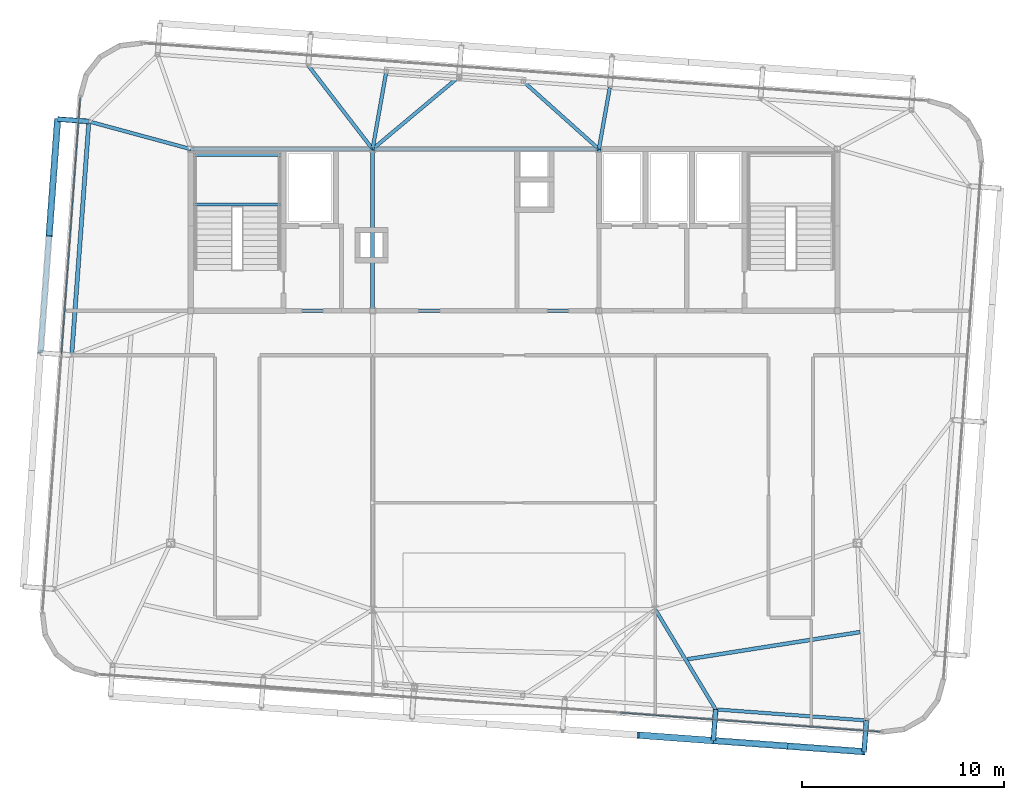
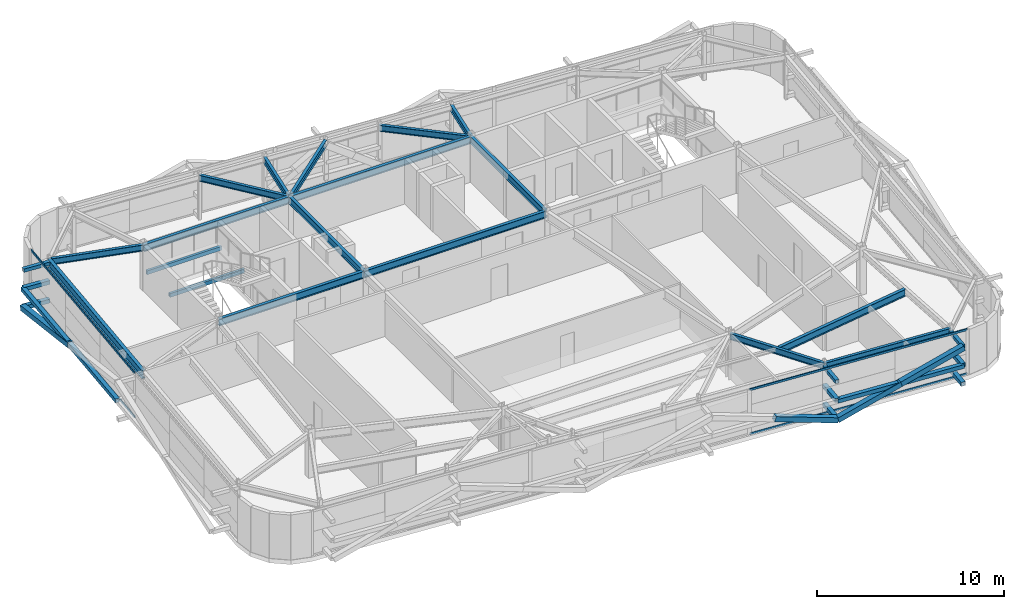
# One storey, part 14 of 35: 19 members, 18 beams, 2 elements without a shape of their own.
"""IFC4 building model written with IfcOpenShell, lengths in metres."""

from ifc_helpers import new_model, si_unit, direction, frame, origin, origin_2d, place, context, subcontext, project, spatial, hollow_rectangle, i_section, extrude, source, transform, mapped, material, layer, layer_set, material_profile, profile_set, type_object, element, aggregate, save


model = new_model("IFC4")

# Units and contexts
model_context = context("Model", 3, precision=1e-05, world=origin(), true_north=direction((0.0, 1.0)))
body_context = subcontext(model_context, "Body", "Model", "MODEL_VIEW")
ifc_project = project(units=[si_unit("LENGTHUNIT", "METRE"), si_unit("AREAUNIT", "SQUARE_METRE"), si_unit("VOLUMEUNIT", "CUBIC_METRE"), si_unit("PLANEANGLEUNIT", "RADIAN"), si_unit("MASSUNIT", "GRAM", prefix="KILO")], contexts=[model_context])

# Site, building, storey
site_placement = place(None, origin())
site = spatial("IfcSite", under=ifc_project, at=site_placement, CompositionType="ELEMENT")
building_placement = place(site_placement, origin())
building = spatial("IfcBuilding", under=site, at=building_placement, Name="Taldren Reach Tower", CompositionType="ELEMENT")
storey_placement = place(building_placement, frame((0.0, 0.0, 236.60009765625)))
storey = spatial("IfcBuildingStorey", under=building, at=storey_placement, Name="L72", CompositionType="ELEMENT", Elevation=236.60009765625)

# Beams
ifc_material_1 = material(Name="Steel Gr 350 (350PLUS)", Category="steel")
ifc_material_profile_1 = material_profile(ifc_material_1, i_section(OverallWidth=0.19091796875, OverallDepth=0.4599609375, WebThickness=0.010009765625, FlangeThickness=0.01611328125, at=origin_2d()), Name="460UB82.1")
ifc_profile_set_1 = profile_set([ifc_material_profile_1], Name="Steel Gr 350 (350PLUS)")
beam_type_1 = type_object("IfcBeamType", Name="BM-UB460A", PredefinedType="BEAM", material=ifc_profile_set_1)
shared_shape_1 = source(origin(), body_context, "Body", "SweptSolid", [
    extrude(i_section(OverallWidth=0.19091796875, OverallDepth=0.4599609375, WebThickness=0.010009765625, FlangeThickness=0.01611328125, at=origin_2d()), origin(), (0.0, 0.0, 1.0), 9.0),
])
for number, where, z_axis, x_axis, name in (
    (1, (19.0, 24.0, 2.699951171875), (1.0, 0.0, 0.0), (0.0, 1.0, 0.0), "Core-spine girder L72-SP01"),
    (2, (19.0, 32.0, 2.699951171875), (1.0, 0.0, 0.0), (0.0, 1.0, 0.0), "Core-spine girder L72-SP04"),
):
    element("IfcBeam", number, at=place(storey_placement, frame(where, z_axis=z_axis, x_axis=x_axis)), inside=storey, type_object=beam_type_1, Name=name, PredefinedType="BEAM", context=body_context, shape_type="MappedRepresentation", body=[
        mapped(shared_shape_1, transform((0.0, 0.0, 0.0), scale=1.0)),
    ])
shared_shape_2 = source(origin(), body_context, "Body", "SweptSolid", [
    extrude(i_section(OverallWidth=0.19091796875, OverallDepth=0.4599609375, WebThickness=0.010009765625, FlangeThickness=0.01611328125, at=origin_2d()), origin(), (0.0, 0.0, 1.0), 11.199951171875),
])
for number, where, z_axis, x_axis, name in (
    (3, (28.0, 24.0, 2.699951171875), (1.0, 0.0, 0.0), (0.0, 1.0, 0.0), "Core-spine girder L72-SP02"),
    (4, (28.0, 32.0, 2.699951171875), (1.0, 0.0, 0.0), (0.0, 1.0, 0.0), "Core-spine girder L72-SP05"),
):
    element("IfcBeam", number, at=place(storey_placement, frame(where, z_axis=z_axis, x_axis=x_axis)), inside=storey, type_object=beam_type_1, Name=name, PredefinedType="BEAM", context=body_context, shape_type="MappedRepresentation", body=[
        mapped(shared_shape_2, transform((0.0, 0.0, 0.0), scale=1.0)),
    ])
shared_shape_3 = source(origin(), body_context, "Body", "SweptSolid", [
    extrude(i_section(OverallWidth=0.19091796875, OverallDepth=0.4599609375, WebThickness=0.010009765625, FlangeThickness=0.01611328125, at=origin_2d()), origin(), (0.0, 0.0, 1.0), 8.0),
])
for number, where, z_axis, x_axis, name in (
    (5, (28.0, 24.0, 2.699951171875), (0.0, 1.0, 0.0), (-1.0, 0.0, 0.0), "Core-spine girder L72-SP07"),
    (6, (39.199951171875, 24.0, 2.699951171875), (0.0, 1.0, 0.0), (-1.0, 0.0, 0.0), "Core-spine girder L72-SP08"),
):
    element("IfcBeam", number, at=place(storey_placement, frame(where, z_axis=z_axis, x_axis=x_axis)), inside=storey, type_object=beam_type_1, Name=name, PredefinedType="BEAM", context=body_context, shape_type="MappedRepresentation", body=[
        mapped(shared_shape_3, transform((0.0, 0.0, 0.0), scale=1.0)),
    ])

# Members
ifc_material_2 = material(Name="Steel Gr 350 (C350L0)", Category="steel")
ifc_material_profile_2 = material_profile(ifc_material_2, hollow_rectangle(XDim=0.25, YDim=0.25, WallThickness=0.010009765625, at=origin_2d()), Name="250x250x10.0SHS")
ifc_profile_set_2 = profile_set([ifc_material_profile_2], Name="Steel Gr 350 (C350L0)")
member_type_1 = type_object("IfcMemberType", Name="MB-POST250", PredefinedType="POST", material=ifc_profile_set_2)
shared_shape_4 = source(origin(), body_context, "Body", "SweptSolid", [
    extrude(hollow_rectangle(XDim=0.25, YDim=0.25, WallThickness=0.010009765625, at=origin_2d()), origin(), (0.0, 0.0, 1.0), 1.550048828125),
])
for number, where, z_axis, x_axis, name in (
    (7, (44.980224609375, 4.26904296875, 0.219970703125), (-0.07323929162, -0.997314396849, 0.0), (0.997314396849, -0.07323929162, 0.0), "Exoskeleton base diaphragm tie strut B5-S5 L72"),
    (8, (52.440185546875, 3.72119140625, 0.219970703125), (-0.07323929162, -0.997314396849, 0.0), (0.997314396849, -0.07323929162, 0.0), "Exoskeleton base diaphragm tie strut B5-S6 L72"),
    (9, (44.980224609375, 4.26904296875, 1.434814453125), (-0.07323929162, -0.997314396849, 0.0), (0.997314396849, -0.07323929162, 0.0), "Exoskeleton mid-tier diaphragm tie B5-S5 L72"),
    (10, (52.440185546875, 3.72119140625, 1.434814453125), (-0.07323929162, -0.997314396849, 0.0), (0.997314396849, -0.07323929162, 0.0), "Exoskeleton mid-tier diaphragm tie B5-S6 L72"),
):
    element("IfcMember", number, at=place(storey_placement, frame(where, z_axis=z_axis, x_axis=x_axis)), inside=storey, type_object=member_type_1, Name=name, PredefinedType="POST", context=body_context, shape_type="MappedRepresentation", body=[
        mapped(shared_shape_4, transform((0.0, 0.0, 0.0), scale=1.0)),
    ])
ifc_material_3 = material(Name="Steel Gr 450 (C450L0)", Category="steel")
ifc_material_profile_3 = material_profile(ifc_material_3, hollow_rectangle(XDim=0.219970703125, YDim=0.219970703125, WallThickness=0.00830078125, at=origin_2d()), Name="220x220x8.2SHS")
ifc_profile_set_3 = profile_set([ifc_material_profile_3], Name="Steel Gr 450 (C450L0)")
member_type_2 = type_object("IfcMemberType", Name="MB-TIE219", PredefinedType="STRUT", material=ifc_profile_set_3)
shared_shape_5 = source(origin(), body_context, "Body", "SweptSolid", [
    extrude(hollow_rectangle(XDim=0.219970703125, YDim=0.219970703125, WallThickness=0.00830078125, at=origin_2d()), origin(), (0.0, 0.0, 1.0), 1.550048828125),
])
for number, where, z_axis, x_axis, name in (
    (11, (44.980224609375, 4.26904296875, 2.64990234375), (-0.07323929162, -0.997314396849, 0.0), (0.997314396849, -0.07323929162, 0.0), "Exoskeleton diaphragm tie strut B5-S5 L72"),
    (12, (52.440185546875, 3.72119140625, 2.64990234375), (-0.07323929162, -0.997314396849, 0.0), (0.997314396849, -0.07323929162, 0.0), "Exoskeleton diaphragm tie strut B5-S6 L72"),
):
    element("IfcMember", number, at=place(storey_placement, frame(where, z_axis=z_axis, x_axis=x_axis)), inside=storey, type_object=member_type_2, Name=name, PredefinedType="STRUT", context=body_context, shape_type="MappedRepresentation", body=[
        mapped(shared_shape_5, transform((0.0, 0.0, 0.0), scale=1.0)),
    ])

# Beams
ifc_material_profile_4 = material_profile(ifc_material_1, i_section(OverallWidth=0.172119140625, OverallDepth=0.35888671875, WebThickness=0.008056640625, FlangeThickness=0.012939453125, at=origin_2d()), Name="360UB56.7")
ifc_profile_set_4 = profile_set([ifc_material_profile_4], Name="Steel Gr 350 (350PLUS)")
beam_type_2 = type_object("IfcBeamType", Name="SP-UB360", PredefinedType="SPANDREL", material=ifc_profile_set_4)
shared_shape_6 = source(origin(), body_context, "Body", "SweptSolid", [
    extrude(i_section(OverallWidth=0.172119140625, OverallDepth=0.35888671875, WebThickness=0.008056640625, FlangeThickness=0.012939453125, at=origin_2d()), origin(), (0.0, 0.0, 1.0), 7.47998046875),
])
beam_1_placement = place(storey_placement, frame((44.980224609375, 4.26904296875, 2.75048828125), z_axis=(0.997314220642, -0.07324169103, 0.0), x_axis=(0.07324169103, 0.997314220642, 0.0)))
element("IfcBeam", 13, at=beam_1_placement, inside=storey, type_object=beam_type_2, Name="Perimeter spandrel B5 S5-S6 L72", PredefinedType="SPANDREL", context=body_context, shape_type="MappedRepresentation", body=[
    mapped(shared_shape_6, transform((0.0, 0.0, 0.0), scale=1.0)),
])
ifc_material_profile_5 = material_profile(ifc_material_1, i_section(OverallWidth=0.208984375, OverallDepth=0.528076171875, WebThickness=0.009521484375, FlangeThickness=0.01318359375, at=origin_2d()), Name="530UB82.0")
ifc_profile_set_5 = profile_set([ifc_material_profile_5], Name="Steel Gr 350 (350PLUS)")
beam_type_3 = type_object("IfcBeamType", Name="SP-UB530B", PredefinedType="SPANDREL", material=ifc_profile_set_5)
shared_shape_7 = source(origin(), body_context, "Body", "SweptSolid", [
    extrude(i_section(OverallWidth=0.208984375, OverallDepth=0.528076171875, WebThickness=0.009521484375, FlangeThickness=0.01318359375, at=origin_2d()), origin(), (0.0, 0.0, 1.0), 11.60009765625),
])
beam_2_placement = place(storey_placement, frame((13.958251953125, 33.369140625, 2.666015625), z_axis=(-0.073242167855, -0.997314185625, 0.0), x_axis=(0.997314185625, -0.073242167855, 0.0)))
element("IfcBeam", 14, at=beam_2_placement, inside=storey, type_object=beam_type_3, Name="Perimeter spandrel B5 W3-W2 L72", PredefinedType="SPANDREL", context=body_context, shape_type="MappedRepresentation", body=[
    mapped(shared_shape_7, transform((0.0, 0.0, 0.0), scale=1.0)),
])
ifc_material_profile_6 = material_profile(ifc_material_1, i_section(OverallWidth=0.177978515625, OverallDepth=0.406005859375, WebThickness=0.0078125, FlangeThickness=0.0126953125, at=origin_2d()), Name="410UB59.7")
ifc_profile_set_6 = profile_set([ifc_material_profile_6], Name="Steel Gr 350 (350PLUS)")
beam_type_4 = type_object("IfcBeamType", Name="BM-UB410", PredefinedType="BEAM", material=ifc_profile_set_6)
shared_shape_8 = source(origin(), body_context, "Body", "SweptSolid", [
    extrude(i_section(OverallWidth=0.177978515625, OverallDepth=0.406005859375, WebThickness=0.0078125, FlangeThickness=0.0126953125, at=origin_2d()), origin(), (0.0, 0.0, 1.0), 5.761474609375),
])
beam_3_placement = place(storey_placement, frame((42.0, 9.199951171875, 2.726806640625), z_axis=(0.517259852514, -0.855828396922, 0.0), x_axis=(0.855828396922, 0.517259852514, 0.0)))
element("IfcBeam", 15, at=beam_3_placement, inside=storey, type_object=beam_type_4, Name="Primary floor girder B5-S5 L72", PredefinedType="BEAM", context=body_context, shape_type="MappedRepresentation", body=[
    mapped(shared_shape_8, transform((0.0, 0.0, 0.0), scale=1.0)),
])
shared_shape_9 = source(origin(), body_context, "Body", "SweptSolid", [
    extrude(i_section(OverallWidth=0.177978515625, OverallDepth=0.406005859375, WebThickness=0.0078125, FlangeThickness=0.0126953125, at=origin_2d()), origin(), (0.0, 0.0, 1.0), 3.0830078125),
])
beam_4_placement = place(storey_placement, frame((39.199951171875, 32.0, 2.726806640625), z_axis=(0.17500945263, 0.984566753191, 0.0), x_axis=(-0.984566753191, 0.17500945263, 0.0)))
element("IfcBeam", 16, at=beam_4_placement, inside=storey, type_object=beam_type_4, Name="Primary floor girder B5-N4 L72", PredefinedType="BEAM", context=body_context, shape_type="MappedRepresentation", body=[
    mapped(shared_shape_9, transform((0.0, 0.0, 0.0), scale=1.0)),
])
shared_shape_10 = source(origin(), body_context, "Body", "SweptSolid", [
    extrude(i_section(OverallWidth=0.177978515625, OverallDepth=0.406005859375, WebThickness=0.0078125, FlangeThickness=0.0126953125, at=origin_2d()), origin(), (0.0, 0.0, 1.0), 5.02001953125),
])
beam_5_placement = place(storey_placement, frame((39.199951171875, 32.0, 2.726806640625), z_axis=(-0.744827782377, 0.667256753132, 0.0), x_axis=(-0.667256753132, -0.744827782377, 0.0)))
element("IfcBeam", 17, at=beam_5_placement, inside=storey, type_object=beam_type_4, Name="Primary floor girder B5-PJN2 L72", PredefinedType="BEAM", context=body_context, shape_type="MappedRepresentation", body=[
    mapped(shared_shape_10, transform((0.0, 0.0, 0.0), scale=1.0)),
])
shared_shape_11 = source(origin(), body_context, "Body", "SweptSolid", [
    extrude(i_section(OverallWidth=0.177978515625, OverallDepth=0.406005859375, WebThickness=0.0078125, FlangeThickness=0.0126953125, at=origin_2d()), origin(), (0.0, 0.0, 1.0), 5.58154296875),
])
beam_6_placement = place(storey_placement, frame((28.0, 32.0, 2.726806640625), z_axis=(0.766724126108, 0.641976724222, 0.0), x_axis=(-0.641976724222, 0.766724126108, 0.0)))
element("IfcBeam", 18, at=beam_6_placement, inside=storey, type_object=beam_type_4, Name="Primary floor girder B5-N3 L72", PredefinedType="BEAM", context=body_context, shape_type="MappedRepresentation", body=[
    mapped(shared_shape_11, transform((0.0, 0.0, 0.0), scale=1.0)),
])
shared_shape_12 = source(origin(), body_context, "Body", "SweptSolid", [
    extrude(i_section(OverallWidth=0.177978515625, OverallDepth=0.406005859375, WebThickness=0.0078125, FlangeThickness=0.0126953125, at=origin_2d()), origin(), (0.0, 0.0, 1.0), 3.9072265625),
])
beam_7_placement = place(storey_placement, frame((28.0, 32.0, 2.726806640625), z_axis=(0.173835238379, 0.984774750843, 0.0), x_axis=(-0.984774750843, 0.173835238379, 0.0)))
element("IfcBeam", 19, at=beam_7_placement, inside=storey, type_object=beam_type_4, Name="Primary floor girder B5-PJN1 L72", PredefinedType="BEAM", context=body_context, shape_type="MappedRepresentation", body=[
    mapped(shared_shape_12, transform((0.0, 0.0, 0.0), scale=1.0)),
])
shared_shape_13 = source(origin(), body_context, "Body", "SweptSolid", [
    extrude(i_section(OverallWidth=0.177978515625, OverallDepth=0.406005859375, WebThickness=0.0078125, FlangeThickness=0.0126953125, at=origin_2d()), origin(), (0.0, 0.0, 1.0), 5.213623046875),
])
beam_8_placement = place(storey_placement, frame((28.0, 32.0, 2.726806640625), z_axis=(-0.61002980411, 0.792378468976, 0.0), x_axis=(-0.792378468976, -0.61002980411, 0.0)))
element("IfcBeam", 20, at=beam_8_placement, inside=storey, type_object=beam_type_4, Name="Primary floor girder B5-N2 L72", PredefinedType="BEAM", context=body_context, shape_type="MappedRepresentation", body=[
    mapped(shared_shape_13, transform((0.0, 0.0, 0.0), scale=1.0)),
])
shared_shape_14 = source(origin(), body_context, "Body", "SweptSolid", [
    extrude(i_section(OverallWidth=0.177978515625, OverallDepth=0.406005859375, WebThickness=0.0078125, FlangeThickness=0.0126953125, at=origin_2d()), origin(), (0.0, 0.0, 1.0), 5.224365234375),
])
beam_9_placement = place(storey_placement, frame((19.0, 32.0, 2.726806640625), z_axis=(-0.965049032336, 0.262069390022, 0.0), x_axis=(-0.262069390022, -0.965049032336, 0.0)))
element("IfcBeam", 21, at=beam_9_placement, inside=storey, type_object=beam_type_4, Name="Primary floor girder B5-W3 L72", PredefinedType="BEAM", context=body_context, shape_type="MappedRepresentation", body=[
    mapped(shared_shape_14, transform((0.0, 0.0, 0.0), scale=1.0)),
])
shared_shape_15 = source(origin(), body_context, "Body", "SweptSolid", [
    extrude(i_section(OverallWidth=0.19091796875, OverallDepth=0.4599609375, WebThickness=0.010009765625, FlangeThickness=0.01611328125, at=origin_2d()), origin(), (0.0, 0.0, 1.0), 8.65185546875),
])
beam_10_placement = place(storey_placement, frame((43.585205078125, 6.74951171875, 2.699951171875), z_axis=(0.987803200413, 0.155707537562, 0.0), x_axis=(-0.155707537562, 0.987803200413, 0.0)))
element("IfcBeam", 22, at=beam_10_placement, inside=storey, type_object=beam_type_1, Name="Secondary floor beam B5 J5 L72", PredefinedType="BEAM", context=body_context, shape_type="MappedRepresentation", body=[
    mapped(shared_shape_15, transform((0.0, 0.0, 0.0), scale=1.0)),
])

# Members
shared_shape_16 = source(origin(), body_context, "Body", "SweptSolid", [
    extrude(hollow_rectangle(XDim=0.219970703125, YDim=0.219970703125, WallThickness=0.00830078125, at=origin_2d()), origin(), (0.0, 0.0, 1.0), 1.5458984375),
])
member_1_placement = place(storey_placement, frame((13.9541015625, 33.369384765625, 2.64990234375), z_axis=(-0.997311530447, 0.073278313559, 0.0), x_axis=(-0.073278313559, -0.997311530447, 0.0)))
element("IfcMember", 23, at=member_1_placement, inside=storey, type_object=member_type_2, Name="Exoskeleton diaphragm tie strut B5-W3 L72", PredefinedType="STRUT", context=body_context, shape_type="MappedRepresentation", body=[
    mapped(shared_shape_16, transform((0.0, 0.0, 0.0), scale=1.0)),
])
ifc_material_profile_7 = material_profile(ifc_material_3, hollow_rectangle(XDim=0.324951171875, YDim=0.324951171875, WallThickness=0.0126953125, at=origin_2d()), Name="325x325x12.7SHS")
ifc_profile_set_7 = profile_set([ifc_material_profile_7], Name="Steel Gr 450 (C450L0)")
member_type_3 = type_object("IfcMemberType", Name="MB-BR324", PredefinedType="BRACE", material=ifc_profile_set_7)
shared_shape_17 = source(origin(), body_context, "Body", "SweptSolid", [
    extrude(hollow_rectangle(XDim=0.324951171875, YDim=0.324951171875, WallThickness=0.0126953125, at=origin_2d()), origin(), (0.0, 0.0, 1.0), 3.932373046875),
])
for number, where, z_axis, x_axis, name in (
    (24, (44.86669921875, 2.72314453125, 0.219970703125), (-0.948529326954, 0.06965898055, 0.308933232813), (-0.07324169103, -0.997314220642, 0.0), "Exoskeleton Diagrid Brace B5-S4 L72"),
    (25, (44.86669921875, 2.72314453125, 0.219970703125), (0.948529326954, -0.06965898055, 0.308933232813), (0.07324169103, 0.997314220642, 0.0), "Exoskeleton Diagrid Brace B5-S5 L72"),
    (26, (48.5966796875, 2.44921875, 1.434814453125), (0.948511132845, -0.069657644394, 0.308989390507), (0.07324169103, 0.997314220642, 0.0), "Exoskeleton Diagrid Brace B5-S5 L72"),
):
    element("IfcMember", number, at=place(storey_placement, frame(where, z_axis=z_axis, x_axis=x_axis)), inside=storey, type_object=member_type_3, Name=name, PredefinedType="BRACE", context=body_context, shape_type="MappedRepresentation", body=[
        mapped(shared_shape_17, transform((0.0, 0.0, 0.0), scale=1.0)),
    ])
shared_shape_18 = source(origin(), body_context, "Body", "SweptSolid", [
    extrude(hollow_rectangle(XDim=0.25, YDim=0.25, WallThickness=0.010009765625, at=origin_2d()), origin(), (0.0, 0.0, 1.0), 7.47998046875),
])
member_2_placement = place(storey_placement, frame((44.86669921875, 2.72314453125, 1.434814453125), z_axis=(0.997314220642, -0.07324169103, 0.0), x_axis=(0.07324169103, 0.997314220642, 0.0)))
element("IfcMember", 27, at=member_2_placement, inside=storey, type_object=member_type_1, Name="Exoskeleton mid-height ring chord B5-S5 L72", PredefinedType="POST", context=body_context, shape_type="MappedRepresentation", body=[
    mapped(shared_shape_18, transform((0.0, 0.0, 0.0), scale=1.0)),
])
shared_shape_19 = source(origin(), body_context, "Body", "SweptSolid", [
    extrude(hollow_rectangle(XDim=0.324951171875, YDim=0.324951171875, WallThickness=0.0126953125, at=origin_2d()), origin(), (0.0, 0.0, 1.0), 5.92578125),
])
member_3_placement = place(storey_placement, frame((12.412353515625, 33.482666015625, 0.219970703125), z_axis=(-0.071686540919, -0.976131732187, 0.205007027365), x_axis=(0.997314185625, -0.073242167855, 0.0)))
element("IfcMember", 28, at=member_3_placement, inside=storey, type_object=member_type_3, Name="Exoskeleton Diagrid Brace B5-W2 L72", PredefinedType="BRACE", context=body_context, shape_type="MappedRepresentation", body=[
    mapped(shared_shape_19, transform((0.0, 0.0, 0.0), scale=1.0)),
])
shared_shape_20 = source(origin(), body_context, "Body", "SweptSolid", [
    extrude(hollow_rectangle(XDim=0.25, YDim=0.25, WallThickness=0.010009765625, at=origin_2d()), origin(), (0.0, 0.0, 1.0), 11.60009765625),
])
member_4_placement = place(storey_placement, frame((11.562744140625, 21.913818359375, 1.434814453125), z_axis=(0.073242167855, 0.997314185625, 0.0), x_axis=(-0.997314185625, 0.073242167855, 0.0)))
element("IfcMember", 29, at=member_4_placement, inside=storey, type_object=member_type_1, Name="Exoskeleton mid-height ring chord B5-W2 L72", PredefinedType="POST", context=body_context, shape_type="MappedRepresentation", body=[
    mapped(shared_shape_20, transform((0.0, 0.0, 0.0), scale=1.0)),
])
shared_shape_21 = source(origin(), body_context, "Body", "SweptSolid", [
    extrude(hollow_rectangle(XDim=0.25, YDim=0.25, WallThickness=0.010009765625, at=origin_2d()), origin(), (0.0, 0.0, 1.0), 1.5458984375),
])
for number, where, z_axis, x_axis, name in (
    (30, (13.9541015625, 33.369384765625, 0.219970703125), (-0.997311530447, 0.073278313559, 0.0), (-0.073278313559, -0.997311530447, 0.0), "Exoskeleton base diaphragm tie strut B5-W3 L72"),
    (31, (13.9541015625, 33.369384765625, 1.434814453125), (-0.997311530447, 0.073278313559, 0.0), (-0.073278313559, -0.997311530447, 0.0), "Exoskeleton mid-tier diaphragm tie B5-W3 L72"),
):
    element("IfcMember", number, at=place(storey_placement, frame(where, z_axis=z_axis, x_axis=x_axis)), inside=storey, type_object=member_type_1, Name=name, PredefinedType="POST", context=body_context, shape_type="MappedRepresentation", body=[
        mapped(shared_shape_21, transform((0.0, 0.0, 0.0), scale=1.0)),
    ])

# Curtain wall, members
ifc_material_4 = material(Name="Aluminium and Low-E Glass Unitised System", Category="aluminium")
ifc_layer = layer(ifc_material_4, 0.159912109375)
ifc_layer_set = layer_set([ifc_layer], Name="Aluminium and Low-E Glass Unitised System")
curtain_wall_type = type_object("IfcCurtainWallType", Name="CW-SYS-6", PredefinedType="NOTDEFINED", material=ifc_layer_set)
curtain_wall_1_placement = place(storey_placement, origin())
curtain_wall_1 = element("IfcCurtainWall", 32, at=curtain_wall_1_placement, inside=storey, type_object=curtain_wall_type, Name="Unitised curtain wall CW-L72-S", PredefinedType="NOTDEFINED")
ifc_material_5 = material(Name="Anodised Aluminium 6063-T6", Category="aluminium")
ifc_material_profile_8 = material_profile(ifc_material_5, hollow_rectangle(XDim=0.06005859375, YDim=0.135009765625, WallThickness=0.00341796875, at=origin_2d()), Name="ALU-135x60x3.5RHS")
ifc_profile_set_8 = profile_set([ifc_material_profile_8], Name="Anodised Aluminium 6063-T6")
member_type_4 = type_object("IfcMemberType", Name="CW-TRN-150", PredefinedType="USERDEFINED", material=ifc_profile_set_8)
shared_shape_22 = source(origin(), body_context, "Body", "SweptSolid", [
    extrude(hollow_rectangle(XDim=0.06005859375, YDim=0.135009765625, WallThickness=0.00341796875, at=origin_2d()), origin(), (0.0, 0.0, 1.0), 12.8876953125),
])
member_5_placement = place(storey_placement, frame((40.27294921875, 4.103271484375, 0.02978515625), z_axis=(0.997314588711, -0.073236678949, 0.0), x_axis=(0.073236678949, 0.997314588711, 0.0)))
member_5 = element("IfcMember", 33, at=member_5_placement, type_object=member_type_4, Name="CW-6 transom 3.1", ObjectType="TRANSOM", PredefinedType="USERDEFINED", context=body_context, shape_type="MappedRepresentation", body=[
    mapped(shared_shape_22, transform((0.0, 0.0, 0.0), scale=1.0)),
])
member_6_placement = place(storey_placement, frame((40.27294921875, 4.103271484375, 2.89990234375), z_axis=(0.997314588711, -0.073236678949, 0.0), x_axis=(0.073236678949, 0.997314588711, 0.0)))
member_6 = element("IfcMember", 34, at=member_6_placement, type_object=member_type_4, Name="CW-6 transom 3.2", ObjectType="TRANSOM", PredefinedType="USERDEFINED", context=body_context, shape_type="MappedRepresentation", body=[
    mapped(shared_shape_22, transform((0.0, 0.0, 0.0), scale=1.0)),
])
aggregate(curtain_wall_1, [member_5, member_6])

curtain_wall_2_placement = place(storey_placement, origin())
curtain_wall_2 = element("IfcCurtainWall", 35, at=curtain_wall_2_placement, inside=storey, type_object=curtain_wall_type, Name="Unitised curtain wall CW-L72-W", PredefinedType="NOTDEFINED")
shared_shape_23 = source(origin(), body_context, "Body", "SweptSolid", [
    extrude(hollow_rectangle(XDim=0.06005859375, YDim=0.135009765625, WallThickness=0.00341796875, at=origin_2d()), origin(), (0.0, 0.0, 1.0), 12.6875),
])
member_7_placement = place(storey_placement, frame((13.531982421875, 34.5283203125, 0.02978515625), z_axis=(-0.073237997916, -0.997314491854, 0.0), x_axis=(0.997314491854, -0.073237997916, 0.0)))
member_7 = element("IfcMember", 36, at=member_7_placement, type_object=member_type_4, Name="CW-6 transom 1.1", ObjectType="TRANSOM", PredefinedType="USERDEFINED", context=body_context, shape_type="MappedRepresentation", body=[
    mapped(shared_shape_23, transform((0.0, 0.0, 0.0), scale=1.0)),
])
member_8_placement = place(storey_placement, frame((13.531982421875, 34.5283203125, 2.89990234375), z_axis=(-0.073237997916, -0.997314491854, 0.0), x_axis=(0.997314491854, -0.073237997916, 0.0)))
member_8 = element("IfcMember", 37, at=member_8_placement, type_object=member_type_4, Name="CW-6 transom 1.2", ObjectType="TRANSOM", PredefinedType="USERDEFINED", context=body_context, shape_type="MappedRepresentation", body=[
    mapped(shared_shape_23, transform((0.0, 0.0, 0.0), scale=1.0)),
])
aggregate(curtain_wall_2, [member_7, member_8])

# Beams
ifc_material_profile_9 = material_profile(ifc_material_2, hollow_rectangle(XDim=0.14990234375, YDim=0.25, WallThickness=0.009033203125, at=origin_2d()), Name="250x150x9.0RHS")
ifc_profile_set_9 = profile_set([ifc_material_profile_9], Name="Steel Gr 350 (C350L0)")
beam_type_5 = type_object("IfcBeamType", Name="LN-RHS250", PredefinedType="LINTEL", material=ifc_profile_set_9)
shared_shape_24 = source(origin(), body_context, "Body", "SweptSolid", [
    extrude(hollow_rectangle(XDim=0.14990234375, YDim=0.25, WallThickness=0.009033203125, at=origin_2d()), origin(), (0.0, 0.0, 1.0), 4.60009765625),
])
for number, where, z_axis, x_axis, name in (
    (38, (19.0, 29.2548828125, 1.27001953125), (1.0, 0.0, 0.0), (0.0, 1.0, 0.0), "Stair half-landing support beam ST1-L72-1"),
    (39, (19.0, 31.699951171875, 1.27001953125), (1.0, 0.0, 0.0), (0.0, 1.0, 0.0), "Stair half-landing support beam ST1-L72-2"),
):
    element("IfcBeam", number, at=place(storey_placement, frame(where, z_axis=z_axis, x_axis=x_axis)), inside=storey, type_object=beam_type_5, Name=name, PredefinedType="LINTEL", context=body_context, shape_type="MappedRepresentation", body=[
        mapped(shared_shape_24, transform((0.0, 0.0, 0.0), scale=1.0)),
    ])

save(model, "model.ifc")
